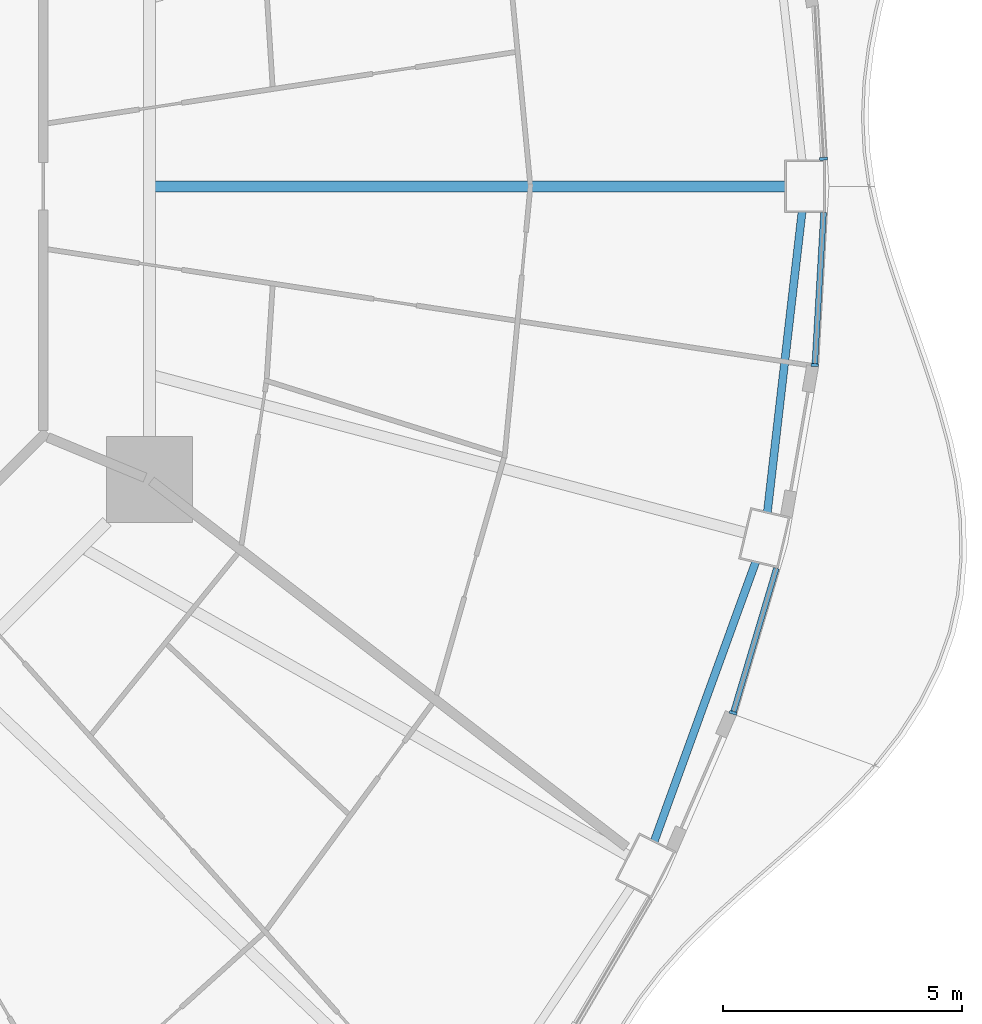
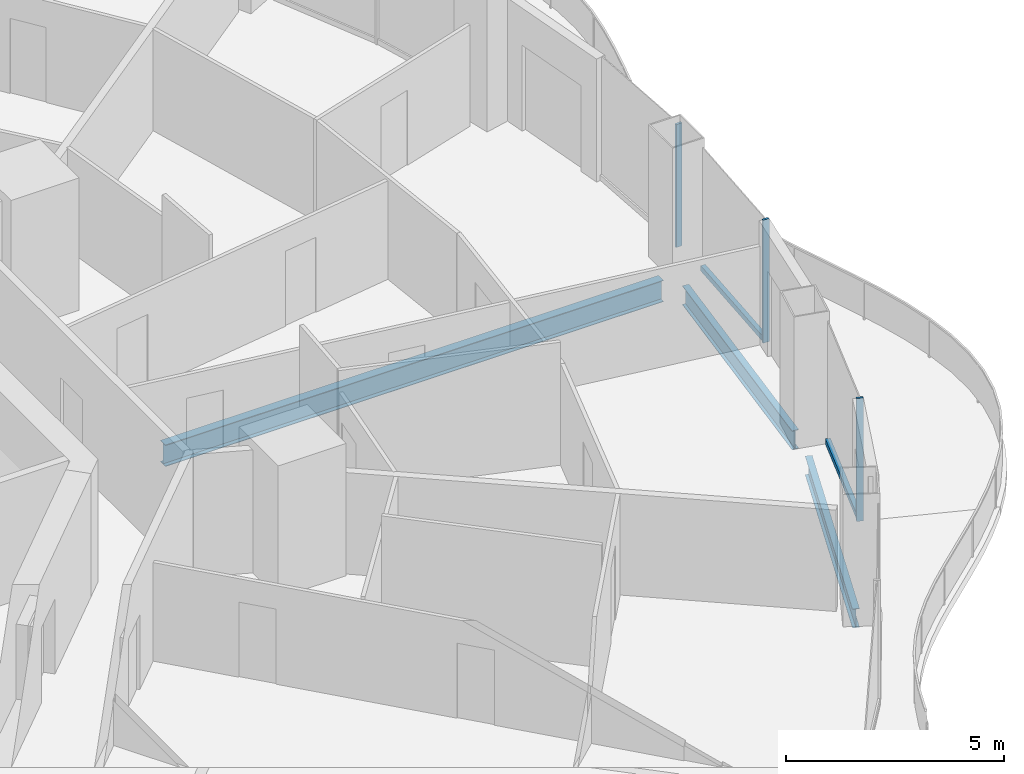
# One storey, part 5 of 19: 5 members, 3 beams, 3 elements without a shape of their own.
"""IFC4 building model written with IfcOpenShell, lengths in metres."""

from ifc_helpers import new_model, si_unit, direction, frame, origin, origin_2d, place, context, subcontext, project, spatial, rectangle, i_section, extrude, material, layer, layer_set, material_profile, profile_set, type_object, element, aggregate, save


model = new_model("IFC4")

# Units and contexts
model_context = context("Model", 3, precision=1e-05, world=origin(), true_north=direction((0.0, 1.0)))
body_context = subcontext(model_context, "Body", "Model", "MODEL_VIEW")
ifc_project = project(units=[si_unit("LENGTHUNIT", "METRE"), si_unit("AREAUNIT", "SQUARE_METRE"), si_unit("VOLUMEUNIT", "CUBIC_METRE"), si_unit("PLANEANGLEUNIT", "RADIAN"), si_unit("MASSUNIT", "GRAM", prefix="KILO")], contexts=[model_context])

# Site, building, storey
site_placement = place(None, origin())
site = spatial("IfcSite", under=ifc_project, at=site_placement, CompositionType="ELEMENT")
building_placement = place(site_placement, origin())
building = spatial("IfcBuilding", under=site, at=building_placement, Name="Nagisa Residences", CompositionType="ELEMENT")
storey_placement = place(building_placement, frame((0.0, 0.0, 195.5)))
storey = spatial("IfcBuildingStorey", under=building, at=storey_placement, Name="L49", CompositionType="ELEMENT", Elevation=195.5)

# Curtain wall, member
ifc_material_1 = material(Name="Concrete-coloured aluminium curtain wall system", Category="concrete")
ifc_layer = layer(ifc_material_1, 0.159912109375)
ifc_layer_set = layer_set([ifc_layer], Name="CW1 CURTAIN WALL")
curtain_wall_type = type_object("IfcCurtainWallType", Name="CW1 CURTAIN WALL", PredefinedType="NOTDEFINED", material=ifc_layer_set)
curtain_wall_1_placement = place(storey_placement, origin())
curtain_wall_1 = element("IfcCurtainWall", 1, at=curtain_wall_1_placement, inside=storey, type_object=curtain_wall_type, Name="cw:CW1:L49:00", PredefinedType="NOTDEFINED")
ifc_material_2 = material(Name="Concrete-coloured aluminium", Category="concrete")
ifc_material_profile_1 = material_profile(ifc_material_2, rectangle(XDim=0.159912109375, YDim=0.06005859375, at=origin_2d()), Name="CW1 MULLION 160x60")
ifc_profile_set_1 = profile_set([ifc_material_profile_1], Name="Concrete-coloured aluminium")
member_type_1 = type_object("IfcMemberType", Name="CW1 MULLION 160x60", PredefinedType="MULLION", material=ifc_profile_set_1)
member_1_placement = place(storey_placement, frame((28.86181640625, 0.574462890625, 0.0), z_axis=(0.0, 0.0, 1.0), x_axis=(-0.998345305184, -0.057503492216, 0.0)))
member_1 = element("IfcMember", 2, at=member_1_placement, type_object=member_type_1, Name="CW1 mullion", PredefinedType="MULLION", context=body_context, shape_type="SweptSolid", body=[
    extrude(rectangle(XDim=0.159912109375, YDim=0.06005859375, at=origin_2d()), origin(), (0.0, 0.0, 1.0), 3.43994140625),
])
aggregate(curtain_wall_1, [member_1])

curtain_wall_2_placement = place(storey_placement, origin())
curtain_wall_2 = element("IfcCurtainWall", 3, at=curtain_wall_2_placement, inside=storey, type_object=curtain_wall_type, Name="cw:CW1:L49:45", PredefinedType="NOTDEFINED")
member_2_placement = place(storey_placement, frame((26.975341796875, -10.998291015625, 0.0), z_axis=(0.0, 0.0, 1.0), x_axis=(-0.958271310082, 0.285860274038, 0.0)))
member_2 = element("IfcMember", 4, at=member_2_placement, type_object=member_type_1, Name="CW1 mullion", PredefinedType="MULLION", context=body_context, shape_type="SweptSolid", body=[
    extrude(rectangle(XDim=0.159912109375, YDim=0.06005859375, at=origin_2d()), origin(), (0.0, 0.0, 1.0), 3.43994140625),
])

curtain_wall_3_placement = place(storey_placement, origin())
curtain_wall_3 = element("IfcCurtainWall", 5, at=curtain_wall_3_placement, inside=storey, type_object=curtain_wall_type, Name="cw:CW1:L49:47", PredefinedType="NOTDEFINED")
member_3_placement = place(storey_placement, frame((28.6796875, -3.734375, 0.0), z_axis=(0.0, 0.0, 1.0), x_axis=(-0.998345305184, 0.057503492216, 0.0)))
member_3 = element("IfcMember", 6, at=member_3_placement, type_object=member_type_1, Name="CW1 mullion", PredefinedType="MULLION", context=body_context, shape_type="SweptSolid", body=[
    extrude(rectangle(XDim=0.159912109375, YDim=0.06005859375, at=origin_2d()), origin(), (0.0, 0.0, 1.0), 3.43994140625),
])

# Member
ifc_material_3 = material(Name="Concrete-coloured aluminium", Category="concrete")
ifc_material_profile_2 = material_profile(ifc_material_3, rectangle(XDim=0.1201171875, YDim=0.14990234375, at=origin_2d()), Name="CW1 TRANSOM 120x150")
ifc_profile_set_2 = profile_set([ifc_material_profile_2], Name="Concrete-coloured aluminium")
member_type_2 = type_object("IfcMemberType", Name="CW1 TRANSOM 120x150", PredefinedType="USERDEFINED", material=ifc_profile_set_2)
member_4_placement = place(storey_placement, frame((26.966796875, -11.027099609375, 0.074951171875), z_axis=(0.28584838049, 0.958274857946, 0.0), x_axis=(-0.958274857946, 0.28584838049, 0.0)))
member_4 = element("IfcMember", 7, at=member_4_placement, type_object=member_type_2, Name="CW1 transom", ObjectType="TRANSOM", PredefinedType="USERDEFINED", context=body_context, shape_type="SweptSolid", body=[
    extrude(rectangle(XDim=0.1201171875, YDim=0.14990234375, at=origin_2d()), origin(), (0.0, 0.0, 1.0), 3.182373046875),
])

aggregate(curtain_wall_2, [member_2, member_4])

member_5_placement = place(storey_placement, frame((28.677978515625, -3.764404296875, 0.074951171875), z_axis=(0.057528345118, 0.998343873376, 0.0), x_axis=(-0.998343873376, 0.057528345118, 0.0)))
member_5 = element("IfcMember", 8, at=member_5_placement, type_object=member_type_2, Name="CW1 transom", ObjectType="TRANSOM", PredefinedType="USERDEFINED", context=body_context, shape_type="SweptSolid", body=[
    extrude(rectangle(XDim=0.1201171875, YDim=0.14990234375, at=origin_2d()), origin(), (0.0, 0.0, 1.0), 3.225341796875),
])

aggregate(curtain_wall_3, [member_3, member_5])

# Beams
ifc_material_4 = material(Name="Steel ASTM A572 Gr 50", Category="steel")
ifc_material_profile_3 = material_profile(ifc_material_4, i_section(OverallWidth=0.166015625, OverallDepth=0.534912109375, WebThickness=0.01025390625, FlangeThickness=0.0166015625, at=origin_2d()), Name="W530x85")
ifc_profile_set_3 = profile_set([ifc_material_profile_3], Name="Steel ASTM A572 Gr 50")
beam_type_1 = type_object("IfcBeamType", Name="Perimeter ring beam W530x85", PredefinedType="BEAM", material=ifc_profile_set_3)
beam_1_placement = place(storey_placement, frame((25.32470703125, -13.685546875, -0.527587890625), z_axis=(0.341320243926, 0.939947068237, 0.0), x_axis=(-0.939947068237, 0.341320243926, 0.0)))
element("IfcBeam", 9, at=beam_1_placement, inside=storey, type_object=beam_type_1, Name="beam:L49:pb23", PredefinedType="BEAM", context=body_context, shape_type="SweptSolid", body=[
    extrude(i_section(OverallWidth=0.166015625, OverallDepth=0.534912109375, WebThickness=0.01025390625, FlangeThickness=0.0166015625, at=origin_2d()), origin(), (0.0, 0.0, 1.0), 6.212890625),
])
beam_2_placement = place(storey_placement, frame((27.688720703125, -6.813720703125, -0.527587890625), z_axis=(0.11463289794, 0.993407921606, 0.0), x_axis=(-0.993407921606, 0.11463289794, 0.0)))
element("IfcBeam", 10, at=beam_2_placement, inside=storey, type_object=beam_type_1, Name="beam:L49:pb24", PredefinedType="BEAM", context=body_context, shape_type="SweptSolid", body=[
    extrude(i_section(OverallWidth=0.166015625, OverallDepth=0.534912109375, WebThickness=0.01025390625, FlangeThickness=0.0166015625, at=origin_2d()), origin(), (0.0, 0.0, 1.0), 6.325439453125),
])
ifc_material_5 = material(Name="Steel ASTM A572 Gr 50", Category="steel")
ifc_material_profile_4 = material_profile(ifc_material_5, i_section(OverallWidth=0.22802734375, OverallDepth=0.60302734375, WebThickness=0.010498046875, FlangeThickness=0.014892578125, at=origin_2d()), Name="W610x101")
ifc_profile_set_4 = profile_set([ifc_material_profile_4], Name="Steel ASTM A572 Gr 50")
beam_type_2 = type_object("IfcBeamType", Name="Radial beam W610x101", PredefinedType="BEAM", material=ifc_profile_set_4)
beam_3_placement = place(storey_placement, frame((28.070068359375, 0.0, -0.5615234375), z_axis=(-1.0, 0.0, 0.0), x_axis=(0.0, -1.0, 0.0)))
element("IfcBeam", 11, at=beam_3_placement, inside=storey, type_object=beam_type_2, Name="beam:L49:rb01", PredefinedType="BEAM", context=body_context, shape_type="SweptSolid", body=[
    extrude(i_section(OverallWidth=0.22802734375, OverallDepth=0.60302734375, WebThickness=0.010498046875, FlangeThickness=0.014892578125, at=origin_2d()), origin(), (0.0, 0.0, 1.0), 13.180908203125),
])

save(model, "model.ifc")
